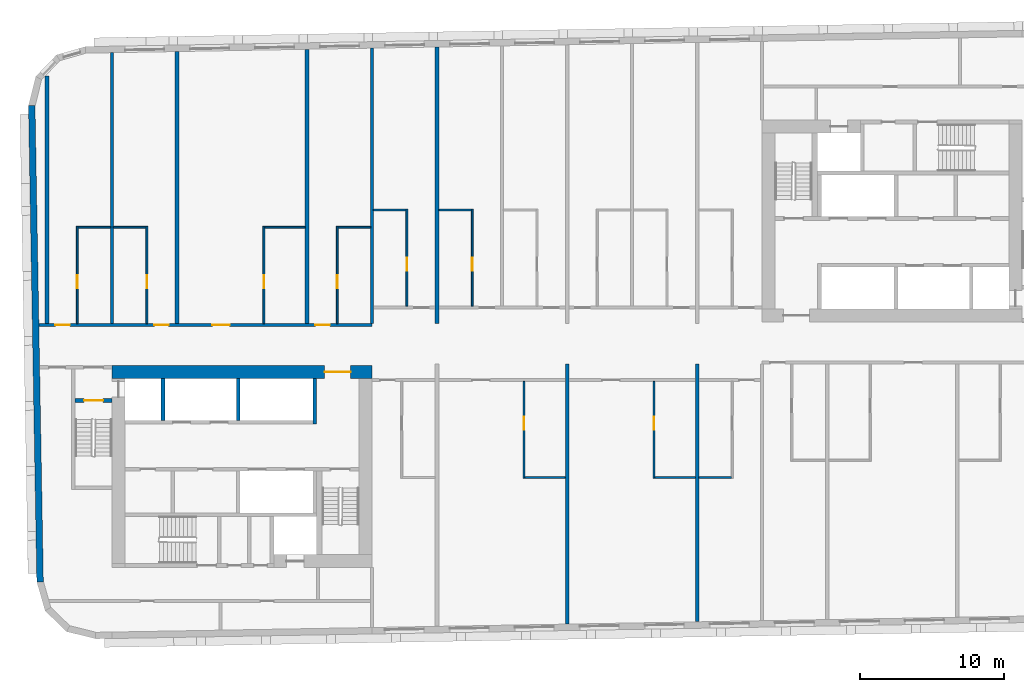
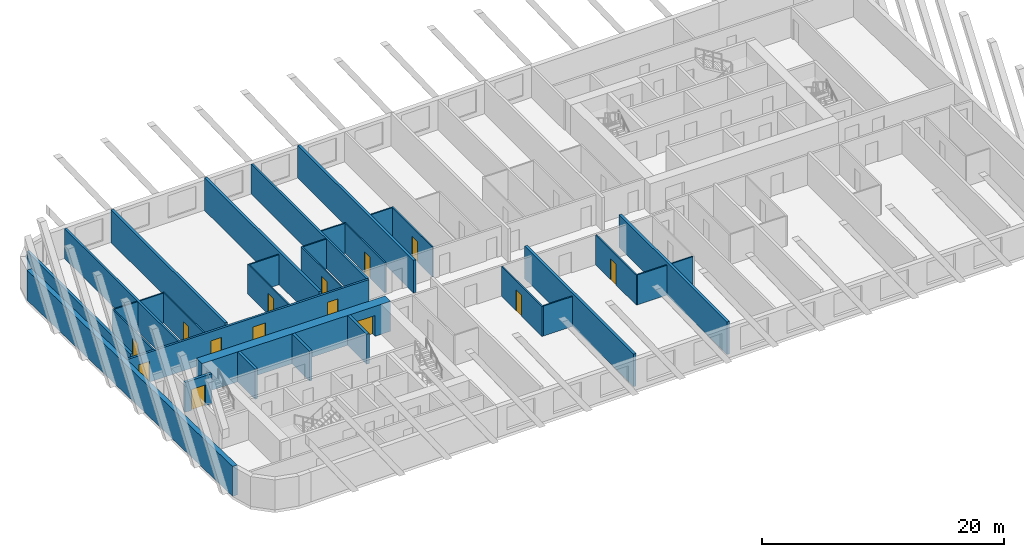
# One storey, part 3 of 12: 32 walls, 14 doors, 14 openings.
"""IFC4 building model written with IfcOpenShell, lengths in metres."""

from ifc_helpers import new_model, si_unit, direction, frame, frame_2d, origin, place, context, subcontext, project, spatial, rectangle, extrude, material, layer, layer_set, type_object, element, fill, save


model = new_model("IFC4")

# Units and contexts
model_context = context("Model", 3, precision=1e-05, world=origin(), true_north=direction((0.0, 1.0)))
body_context = subcontext(model_context, "Body", "Model", "MODEL_VIEW")
ifc_project = project(units=[si_unit("LENGTHUNIT", "METRE"), si_unit("AREAUNIT", "SQUARE_METRE"), si_unit("VOLUMEUNIT", "CUBIC_METRE"), si_unit("PLANEANGLEUNIT", "RADIAN"), si_unit("MASSUNIT", "GRAM", prefix="KILO")], contexts=[model_context])

# Site, building, storey
site_placement = place(None, origin())
site = spatial("IfcSite", under=ifc_project, at=site_placement, CompositionType="ELEMENT")
building_placement = place(site_placement, origin())
building = spatial("IfcBuilding", under=site, at=building_placement, Name="Kajstack Hotel Tower", CompositionType="ELEMENT")
storey_placement = place(building_placement, frame((0.0, 0.0, 217.699951171875)))
storey = spatial("IfcBuildingStorey", under=building, at=storey_placement, Name="L52", CompositionType="ELEMENT", Elevation=217.699951171875)

# Wall, opening, door
ifc_material_1 = material(Name="Concrete C60/75", Category="concrete")
ifc_layer_1 = layer(ifc_material_1, 0.89990234375)
ifc_layer_set_1 = layer_set([ifc_layer_1], Name="Core wall 900")
wall_type_1 = type_object("IfcWallType", Name="Core wall 900", PredefinedType="SHEAR", material=ifc_layer_set_1)
wall_1_placement = place(storey_placement, frame((-31.5, -1.949951171875, 0.0), z_axis=(0.0, 0.0, 1.0), x_axis=(1.0, 0.0, 0.0)))
wall_1 = element("IfcWall", 1, at=wall_1_placement, inside=storey, type_object=wall_type_1, Name="Core wall W RN", PredefinedType="SHEAR", context=body_context, shape_type="SweptSolid", body=[
    extrude(rectangle(XDim=18.0, YDim=0.89990234375, at=frame_2d((9.0, 0.0))), origin(), (0.0, 0.0, 1.0), 3.02001953125),
])
opening_1_placement = place(wall_1_placement, frame((14.72509765625, 0.0, 0.0)))
opening_1 = element("IfcOpeningElement", 2, at=opening_1_placement, cuts=wall_1, Name="Opening 52W07", PredefinedType="OPENING", context=body_context, shape_type="SweptSolid", body=[
    extrude(rectangle(XDim=1.800048828125, YDim=2.10009765625, at=frame_2d((0.89990234375, 1.050048828125))), frame((0.0, 0.4599609375, 0.0), z_axis=(0.0, -1.0, 0.0), x_axis=(1.0, 0.0, 0.0)), (0.0, 0.0, 1.0), 0.919921875),
])
ifc_material_2 = material(Name="Glazed steel frame, fire-rated glass", Category="steel")
door_type_1 = type_object("IfcDoorType", Name="Lobby double door 1800", OperationType="DOUBLE_DOOR_DOUBLE_SWING", PredefinedType="DOOR", material=ifc_material_2)
door_1_placement = place(opening_1_placement, origin())
door_1 = element("IfcDoor", 3, at=door_1_placement, inside=storey, type_object=door_type_1, Name="Door 52W07", OperationType="DOUBLE_DOOR_DOUBLE_SWING", OverallHeight=2.10009765625, OverallWidth=1.800048828125, PredefinedType="DOOR", context=body_context, shape_type="SweptSolid", body=[
    extrude(rectangle(XDim=1.800048828125, YDim=2.10009765625, at=frame_2d((0.89990234375, 1.050048828125))), frame((0.0, 0.02490234375, 0.0), z_axis=(0.0, -1.0, 0.0), x_axis=(1.0, 0.0, 0.0)), (0.0, 0.0, 1.0), 0.050048828125),
])
fill(opening_1, door_1)

# Wall, openings, doors
ifc_material_3 = material(Name="Gypsum board on steel studs, mineral wool", Category="steel")
ifc_layer_2 = layer(ifc_material_3, 0.199951171875)
ifc_layer_set_2 = layer_set([ifc_layer_2], Name="Corridor wall 200")
wall_type_2 = type_object("IfcWallType", Name="Corridor wall 200", PredefinedType="PARTITIONING", material=ifc_layer_set_2)
wall_2_placement = place(storey_placement, frame((-36.56591796875, 1.300048828125, 0.0), z_axis=(0.0, 0.0, 1.0), x_axis=(1.0, 0.0, 0.0)))
wall_2 = element("IfcWall", 4, at=wall_2_placement, inside=storey, type_object=wall_type_2, Name="G-wall-L52-003", PredefinedType="PARTITIONING", context=body_context, shape_type="SweptSolid", body=[
    extrude(rectangle(XDim=23.06591796875, YDim=0.199951171875, at=frame_2d((11.532958984375, 0.0))), origin(), (0.0, 0.0, 1.0), 3.02001953125),
])
opening_2_placement = place(wall_2_placement, frame((1.14111328125, 0.0, 0.0)))
opening_2 = element("IfcOpeningElement", 5, at=opening_2_placement, cuts=wall_2, Name="Opening 52001", PredefinedType="OPENING", context=body_context, shape_type="SweptSolid", body=[
    extrude(rectangle(XDim=1.0, YDim=2.10009765625, at=frame_2d((0.5, 1.050048828125))), frame((0.0, 0.10986328125, 0.0), z_axis=(0.0, -1.0, 0.0), x_axis=(1.0, 0.0, 0.0)), (0.0, 0.0, 1.0), 0.219970703125),
])
opening_3_placement = place(wall_2_placement, frame((7.990966796875, 0.0, 0.0)))
opening_3 = element("IfcOpeningElement", 6, at=opening_3_placement, cuts=wall_2, Name="Opening 52003", PredefinedType="OPENING", context=body_context, shape_type="SweptSolid", body=[
    extrude(rectangle(XDim=1.0, YDim=2.10009765625, at=frame_2d((0.5, 1.050048828125))), frame((0.0, 0.10986328125, 0.0), z_axis=(0.0, -1.0, 0.0), x_axis=(1.0, 0.0, 0.0)), (0.0, 0.0, 1.0), 0.219970703125),
])
opening_4_placement = place(wall_2_placement, frame((12.00390625, 0.0, 0.0)))
opening_4 = element("IfcOpeningElement", 7, at=opening_4_placement, cuts=wall_2, Name="Opening 52005", PredefinedType="OPENING", context=body_context, shape_type="SweptSolid", body=[
    extrude(rectangle(XDim=1.199951171875, YDim=2.10009765625, at=frame_2d((0.60009765625, 1.050048828125))), frame((0.0, 0.10986328125, 0.0), z_axis=(0.0, -1.0, 0.0), x_axis=(1.0, 0.0, 0.0)), (0.0, 0.0, 1.0), 0.219970703125),
])
opening_5_placement = place(wall_2_placement, frame((19.14111328125, 0.0, 0.0)))
opening_5 = element("IfcOpeningElement", 8, at=opening_5_placement, cuts=wall_2, Name="Opening 52007", PredefinedType="OPENING", context=body_context, shape_type="SweptSolid", body=[
    extrude(rectangle(XDim=1.0, YDim=2.10009765625, at=frame_2d((0.5, 1.050048828125))), frame((0.0, 0.10986328125, 0.0), z_axis=(0.0, -1.0, 0.0), x_axis=(1.0, 0.0, 0.0)), (0.0, 0.0, 1.0), 0.219970703125),
])
ifc_material_4 = material(Name="Oak veneer on timber core, fire-rated leaf", Category="wood")
door_type_2 = type_object("IfcDoorType", Name="Flat entrance door 1000", OperationType="SINGLE_SWING_LEFT", PredefinedType="DOOR", material=ifc_material_4)
door_2_placement = place(opening_2_placement, origin())
door_2 = element("IfcDoor", 9, at=door_2_placement, inside=storey, type_object=door_type_2, Name="G-door-L52-01", OperationType="SINGLE_SWING_LEFT", OverallHeight=2.10009765625, OverallWidth=1.0, PredefinedType="DOOR", context=body_context, shape_type="SweptSolid", body=[
    extrude(rectangle(XDim=1.0, YDim=2.10009765625, at=frame_2d((0.5, 1.050048828125))), frame((0.0, 0.02490234375, 0.0), z_axis=(0.0, -1.0, 0.0), x_axis=(1.0, 0.0, 0.0)), (0.0, 0.0, 1.0), 0.050048828125),
])
fill(opening_2, door_2)
door_3_placement = place(opening_3_placement, origin())
door_3 = element("IfcDoor", 10, at=door_3_placement, inside=storey, type_object=door_type_2, Name="G-door-L52-03", OperationType="SINGLE_SWING_LEFT", OverallHeight=2.10009765625, OverallWidth=1.0, PredefinedType="DOOR", context=body_context, shape_type="SweptSolid", body=[
    extrude(rectangle(XDim=1.0, YDim=2.10009765625, at=frame_2d((0.5, 1.050048828125))), frame((0.0, 0.02490234375, 0.0), z_axis=(0.0, -1.0, 0.0), x_axis=(1.0, 0.0, 0.0)), (0.0, 0.0, 1.0), 0.050048828125),
])
fill(opening_3, door_3)
door_4_placement = place(opening_5_placement, origin())
door_4 = element("IfcDoor", 11, at=door_4_placement, inside=storey, type_object=door_type_2, Name="G-door-L52-07", OperationType="SINGLE_SWING_LEFT", OverallHeight=2.10009765625, OverallWidth=1.0, PredefinedType="DOOR", context=body_context, shape_type="SweptSolid", body=[
    extrude(rectangle(XDim=1.0, YDim=2.10009765625, at=frame_2d((0.5, 1.050048828125))), frame((0.0, 0.02490234375, 0.0), z_axis=(0.0, -1.0, 0.0), x_axis=(1.0, 0.0, 0.0)), (0.0, 0.0, 1.0), 0.050048828125),
])
fill(opening_5, door_4)
door_type_3 = type_object("IfcDoorType", Name="Flat entrance door 1200", OperationType="SINGLE_SWING_LEFT", PredefinedType="DOOR", material=ifc_material_4)
door_5_placement = place(opening_4_placement, origin())
door_5 = element("IfcDoor", 12, at=door_5_placement, inside=storey, type_object=door_type_3, Name="G-door-L52-05", OperationType="SINGLE_SWING_RIGHT", OverallHeight=2.10009765625, OverallWidth=1.199951171875, PredefinedType="DOOR", context=body_context, shape_type="SweptSolid", body=[
    extrude(rectangle(XDim=1.199951171875, YDim=2.10009765625, at=frame_2d((0.60009765625, 1.050048828125))), frame((0.0, 0.02490234375, 0.0), z_axis=(0.0, -1.0, 0.0), x_axis=(1.0, 0.0, 0.0)), (0.0, 0.0, 1.0), 0.050048828125),
])
fill(opening_4, door_5)

# Walls
ifc_material_5 = material(Name="Twin-frame gypsum board on steel studs, mineral wool", Category="steel")
ifc_layer_3 = layer(ifc_material_5, 0.199951171875)
ifc_layer_set_3 = layer_set([ifc_layer_3], Name="Demising wall 200")
wall_type_3 = type_object("IfcWallType", Name="Demising wall 200", PredefinedType="PARTITIONING", material=ifc_layer_set_3)
wall_3_placement = place(storey_placement, frame((-31.5, 1.39990234375, 0.0), z_axis=(0.0, 0.0, 1.0), x_axis=(0.0, 1.0, 0.0)))
element("IfcWall", 13, at=wall_3_placement, inside=storey, type_object=wall_type_3, Name="G-wall-L52-005", PredefinedType="PARTITIONING", context=body_context, shape_type="SweptSolid", body=[
    extrude(rectangle(XDim=18.7509765625, YDim=0.199951171875, at=frame_2d((9.37548828125, 0.0))), origin(), (0.0, 0.0, 1.0), 3.02001953125),
])
wall_4_placement = place(storey_placement, frame((-13.5, 1.39990234375, 0.0), z_axis=(0.0, 0.0, 1.0), x_axis=(0.0, 1.0, 0.0)))
element("IfcWall", 14, at=wall_4_placement, inside=storey, type_object=wall_type_3, Name="G-wall-L52-012", PredefinedType="PARTITIONING", context=body_context, shape_type="SweptSolid", body=[
    extrude(rectangle(XDim=19.065185546875, YDim=0.199951171875, at=frame_2d((9.53271484375, 0.0))), origin(), (0.0, 0.0, 1.0), 3.02001953125),
])
ifc_material_6 = material(Name="Terracotta-faced brick masonry", Category="masonry")
ifc_layer_4 = layer(ifc_material_6, 0.449951171875)
ifc_layer_set_4 = layer_set([ifc_layer_4], Name="EW-TERRA")
wall_type_4 = type_object("IfcWallType", Name="EW-TERRA", PredefinedType="SOLIDWALL", material=ifc_layer_set_4)
wall_5_placement = place(storey_placement, frame((-37.056884765625, 16.50341796875, 0.0), z_axis=(0.0, 0.0, 1.0), x_axis=(0.017452279857, -0.999847697366, 0.0)))
element("IfcWall", 15, at=wall_5_placement, inside=storey, type_object=wall_type_4, Name="E-wall-L52-00-00", PredefinedType="SOLIDWALL", context=body_context, shape_type="SweptSolid", body=[
    extrude(rectangle(XDim=33.000244140625, YDim=0.449951171875, at=frame_2d((16.5, 0.0))), origin(), (0.0, 0.0, 1.0), 3.02001953125),
])

# Wall, opening, door
ifc_material_7 = material(Name="Gypsum board and tiled backer on steel studs", Category="steel")
ifc_layer_5 = layer(ifc_material_7, 0.125)
ifc_layer_set_5 = layer_set([ifc_layer_5], Name="En-suite wall 125")
wall_type_5 = type_object("IfcWallType", Name="En-suite wall 125", PredefinedType="PARTITIONING", material=ifc_layer_set_5)
wall_6_placement = place(storey_placement, frame((-33.9130859375, 1.39990234375, 0.0), z_axis=(0.0, 0.0, 1.0), x_axis=(0.0, 1.0, 0.0)))
wall_6 = element("IfcWall", 16, at=wall_6_placement, inside=storey, type_object=wall_type_5, Name="G-wall-L52-006", PredefinedType="PARTITIONING", context=body_context, shape_type="SweptSolid", body=[
    extrude(rectangle(XDim=6.72509765625, YDim=0.125, at=frame_2d((3.362548828125, 0.0))), origin(), (0.0, 0.0, 1.0), 3.02001953125),
])
opening_6_placement = place(wall_6_placement, frame((2.449951171875, 0.0, 0.0)))
opening_6 = element("IfcOpeningElement", 17, at=opening_6_placement, cuts=wall_6, Name="Opening 52002", PredefinedType="OPENING", context=body_context, shape_type="SweptSolid", body=[
    extrude(rectangle(XDim=0.89990234375, YDim=2.10009765625, at=frame_2d((0.449951171875, 1.050048828125))), frame((0.0, 0.072509765625, 0.0), z_axis=(0.0, -1.0, 0.0), x_axis=(1.0, 0.0, 0.0)), (0.0, 0.0, 1.0), 0.14501953125),
])
ifc_material_8 = material(Name="Painted timber door leaf", Category="wood")
door_type_4 = type_object("IfcDoorType", Name="Room door 900", OperationType="SINGLE_SWING_LEFT", PredefinedType="DOOR", material=ifc_material_8)
door_6_placement = place(opening_6_placement, origin())
door_6 = element("IfcDoor", 18, at=door_6_placement, inside=storey, type_object=door_type_4, Name="G-door-L52-02", OperationType="SINGLE_SWING_LEFT", OverallHeight=2.10009765625, OverallWidth=0.89990234375, PredefinedType="DOOR", context=body_context, shape_type="SweptSolid", body=[
    extrude(rectangle(XDim=0.89990234375, YDim=2.10009765625, at=frame_2d((0.449951171875, 1.050048828125))), frame((0.0, 0.02490234375, 0.0), z_axis=(0.0, -1.0, 0.0), x_axis=(1.0, 0.0, 0.0)), (0.0, 0.0, 1.0), 0.050048828125),
])
fill(opening_6, door_6)

# Wall
wall_7_placement = place(storey_placement, frame((-33.85009765625, 8.06201171875, 0.0), z_axis=(0.0, 0.0, 1.0), x_axis=(1.0, 0.0, 0.0)))
element("IfcWall", 19, at=wall_7_placement, inside=storey, type_object=wall_type_5, Name="G-wall-L52-007", PredefinedType="PARTITIONING", context=body_context, shape_type="SweptSolid", body=[
    extrude(rectangle(XDim=2.25, YDim=0.125, at=frame_2d((1.125, 0.0))), origin(), (0.0, 0.0, 1.0), 3.02001953125),
])

# Wall, opening, door
wall_8_placement = place(storey_placement, frame((-29.0869140625, 1.39990234375, 0.0), z_axis=(0.0, 0.0, 1.0), x_axis=(0.0, 1.0, 0.0)))
wall_8 = element("IfcWall", 20, at=wall_8_placement, inside=storey, type_object=wall_type_5, Name="G-wall-L52-008", PredefinedType="PARTITIONING", context=body_context, shape_type="SweptSolid", body=[
    extrude(rectangle(XDim=6.72509765625, YDim=0.125, at=frame_2d((3.362548828125, 0.0))), origin(), (0.0, 0.0, 1.0), 3.02001953125),
])
opening_7_placement = place(wall_8_placement, frame((2.449951171875, 0.0, 0.0)))
opening_7 = element("IfcOpeningElement", 21, at=opening_7_placement, cuts=wall_8, Name="Opening 52004", PredefinedType="OPENING", context=body_context, shape_type="SweptSolid", body=[
    extrude(rectangle(XDim=0.89990234375, YDim=2.10009765625, at=frame_2d((0.449951171875, 1.050048828125))), frame((0.0, 0.072509765625, 0.0), z_axis=(0.0, -1.0, 0.0), x_axis=(1.0, 0.0, 0.0)), (0.0, 0.0, 1.0), 0.14501953125),
])
door_7_placement = place(opening_7_placement, origin())
door_7 = element("IfcDoor", 22, at=door_7_placement, inside=storey, type_object=door_type_4, Name="G-door-L52-04", OperationType="SINGLE_SWING_LEFT", OverallHeight=2.10009765625, OverallWidth=0.89990234375, PredefinedType="DOOR", context=body_context, shape_type="SweptSolid", body=[
    extrude(rectangle(XDim=0.89990234375, YDim=2.10009765625, at=frame_2d((0.449951171875, 1.050048828125))), frame((0.0, 0.02490234375, 0.0), z_axis=(0.0, -1.0, 0.0), x_axis=(1.0, 0.0, 0.0)), (0.0, 0.0, 1.0), 0.050048828125),
])
fill(opening_7, door_7)

# Wall
wall_9_placement = place(storey_placement, frame((-31.39990234375, 8.06201171875, 0.0), z_axis=(0.0, 0.0, 1.0), x_axis=(1.0, 0.0, 0.0)))
element("IfcWall", 23, at=wall_9_placement, inside=storey, type_object=wall_type_5, Name="G-wall-L52-009", PredefinedType="PARTITIONING", context=body_context, shape_type="SweptSolid", body=[
    extrude(rectangle(XDim=2.25, YDim=0.125, at=frame_2d((1.125, 0.0))), origin(), (0.0, 0.0, 1.0), 3.02001953125),
])

# Wall, opening, door
wall_10_placement = place(storey_placement, frame((-20.988037109375, 1.39990234375, 0.0), z_axis=(0.0, 0.0, 1.0), x_axis=(0.0, 1.0, 0.0)))
wall_10 = element("IfcWall", 24, at=wall_10_placement, inside=storey, type_object=wall_type_5, Name="G-wall-L52-010", PredefinedType="PARTITIONING", context=body_context, shape_type="SweptSolid", body=[
    extrude(rectangle(XDim=6.72509765625, YDim=0.125, at=frame_2d((3.362548828125, 0.0))), origin(), (0.0, 0.0, 1.0), 3.02001953125),
])
opening_8_placement = place(wall_10_placement, frame((2.449951171875, 0.0, 0.0)))
opening_8 = element("IfcOpeningElement", 25, at=opening_8_placement, cuts=wall_10, Name="Opening 52006", PredefinedType="OPENING", context=body_context, shape_type="SweptSolid", body=[
    extrude(rectangle(XDim=0.89990234375, YDim=2.10009765625, at=frame_2d((0.449951171875, 1.050048828125))), frame((0.0, 0.072509765625, 0.0), z_axis=(0.0, -1.0, 0.0), x_axis=(1.0, 0.0, 0.0)), (0.0, 0.0, 1.0), 0.14501953125),
])
door_8_placement = place(opening_8_placement, origin())
door_8 = element("IfcDoor", 26, at=door_8_placement, inside=storey, type_object=door_type_4, Name="G-door-L52-06", OperationType="SINGLE_SWING_LEFT", OverallHeight=2.10009765625, OverallWidth=0.89990234375, PredefinedType="DOOR", context=body_context, shape_type="SweptSolid", body=[
    extrude(rectangle(XDim=0.89990234375, YDim=2.10009765625, at=frame_2d((0.449951171875, 1.050048828125))), frame((0.0, 0.02490234375, 0.0), z_axis=(0.0, -1.0, 0.0), x_axis=(1.0, 0.0, 0.0)), (0.0, 0.0, 1.0), 0.050048828125),
])
fill(opening_8, door_8)

# Wall
wall_11_placement = place(storey_placement, frame((-20.925048828125, 8.06201171875, 0.0), z_axis=(0.0, 0.0, 1.0), x_axis=(1.0, 0.0, 0.0)))
element("IfcWall", 27, at=wall_11_placement, inside=storey, type_object=wall_type_5, Name="G-wall-L52-011", PredefinedType="PARTITIONING", context=body_context, shape_type="SweptSolid", body=[
    extrude(rectangle(XDim=2.800048828125, YDim=0.125, at=frame_2d((1.39990234375, 0.0))), origin(), (0.0, 0.0, 1.0), 3.02001953125),
])

# Wall, opening, door
wall_12_placement = place(storey_placement, frame((-15.912109375, 1.39990234375, 0.0), z_axis=(0.0, 0.0, 1.0), x_axis=(0.0, 1.0, 0.0)))
wall_12 = element("IfcWall", 28, at=wall_12_placement, inside=storey, type_object=wall_type_5, Name="G-wall-L52-013", PredefinedType="PARTITIONING", context=body_context, shape_type="SweptSolid", body=[
    extrude(rectangle(XDim=6.72509765625, YDim=0.125, at=frame_2d((3.362548828125, 0.0))), origin(), (0.0, 0.0, 1.0), 3.02001953125),
])
opening_9_placement = place(wall_12_placement, frame((2.449951171875, 0.0, 0.0)))
opening_9 = element("IfcOpeningElement", 29, at=opening_9_placement, cuts=wall_12, Name="Opening 52008", PredefinedType="OPENING", context=body_context, shape_type="SweptSolid", body=[
    extrude(rectangle(XDim=0.89990234375, YDim=2.10009765625, at=frame_2d((0.449951171875, 1.050048828125))), frame((0.0, 0.072509765625, 0.0), z_axis=(0.0, -1.0, 0.0), x_axis=(1.0, 0.0, 0.0)), (0.0, 0.0, 1.0), 0.14501953125),
])
door_9_placement = place(opening_9_placement, origin())
door_9 = element("IfcDoor", 30, at=door_9_placement, inside=storey, type_object=door_type_4, Name="G-door-L52-08", OperationType="SINGLE_SWING_RIGHT", OverallHeight=2.10009765625, OverallWidth=0.89990234375, PredefinedType="DOOR", context=body_context, shape_type="SweptSolid", body=[
    extrude(rectangle(XDim=0.89990234375, YDim=2.10009765625, at=frame_2d((0.449951171875, 1.050048828125))), frame((0.0, 0.02490234375, 0.0), z_axis=(0.0, -1.0, 0.0), x_axis=(1.0, 0.0, 0.0)), (0.0, 0.0, 1.0), 0.050048828125),
])
fill(opening_9, door_9)

# Wall
wall_13_placement = place(storey_placement, frame((-15.85009765625, 8.06201171875, 0.0), z_axis=(0.0, 0.0, 1.0), x_axis=(1.0, 0.0, 0.0)))
element("IfcWall", 31, at=wall_13_placement, inside=storey, type_object=wall_type_5, Name="G-wall-L52-014", PredefinedType="PARTITIONING", context=body_context, shape_type="SweptSolid", body=[
    extrude(rectangle(XDim=2.25, YDim=0.125, at=frame_2d((1.125, 0.0))), origin(), (0.0, 0.0, 1.0), 3.02001953125),
])

# Wall, opening, door
wall_14_placement = place(storey_placement, frame((-11.087890625, 2.60009765625, 0.0), z_axis=(0.0, 0.0, 1.0), x_axis=(0.0, 1.0, 0.0)))
wall_14 = element("IfcWall", 32, at=wall_14_placement, inside=storey, type_object=wall_type_5, Name="G-wall-L52-015", PredefinedType="PARTITIONING", context=body_context, shape_type="SweptSolid", body=[
    extrude(rectangle(XDim=6.724853515625, YDim=0.125, at=frame_2d((3.3623046875, 0.0))), origin(), (0.0, 0.0, 1.0), 3.02001953125),
])
opening_10_placement = place(wall_14_placement, frame((2.449951171875, 0.0, 0.0)))
opening_10 = element("IfcOpeningElement", 33, at=opening_10_placement, cuts=wall_14, Name="Opening 52010", PredefinedType="OPENING", context=body_context, shape_type="SweptSolid", body=[
    extrude(rectangle(XDim=0.89990234375, YDim=2.10009765625, at=frame_2d((0.449951171875, 1.050048828125))), frame((0.0, 0.072509765625, 0.0), z_axis=(0.0, -1.0, 0.0), x_axis=(1.0, 0.0, 0.0)), (0.0, 0.0, 1.0), 0.14501953125),
])
door_10_placement = place(opening_10_placement, origin())
door_10 = element("IfcDoor", 34, at=door_10_placement, inside=storey, type_object=door_type_4, Name="G-door-L52-10", OperationType="SINGLE_SWING_LEFT", OverallHeight=2.10009765625, OverallWidth=0.89990234375, PredefinedType="DOOR", context=body_context, shape_type="SweptSolid", body=[
    extrude(rectangle(XDim=0.89990234375, YDim=2.10009765625, at=frame_2d((0.449951171875, 1.050048828125))), frame((0.0, 0.02490234375, 0.0), z_axis=(0.0, -1.0, 0.0), x_axis=(1.0, 0.0, 0.0)), (0.0, 0.0, 1.0), 0.050048828125),
])
fill(opening_10, door_10)

# Wall
wall_15_placement = place(storey_placement, frame((-13.39990234375, 9.261962890625, 0.0), z_axis=(0.0, 0.0, 1.0), x_axis=(1.0, 0.0, 0.0)))
element("IfcWall", 35, at=wall_15_placement, inside=storey, type_object=wall_type_5, Name="G-wall-L52-016", PredefinedType="PARTITIONING", context=body_context, shape_type="SweptSolid", body=[
    extrude(rectangle(XDim=2.25, YDim=0.125, at=frame_2d((1.125, 0.0))), origin(), (0.0, 0.0, 1.0), 3.02001953125),
])

# Wall, opening, door
wall_16_placement = place(storey_placement, frame((-6.56201171875, 2.60009765625, 0.0), z_axis=(0.0, 0.0, 1.0), x_axis=(0.0, 1.0, 0.0)))
wall_16 = element("IfcWall", 36, at=wall_16_placement, inside=storey, type_object=wall_type_5, Name="G-wall-L52-018", PredefinedType="PARTITIONING", context=body_context, shape_type="SweptSolid", body=[
    extrude(rectangle(XDim=6.724853515625, YDim=0.125, at=frame_2d((3.3623046875, 0.0))), origin(), (0.0, 0.0, 1.0), 3.02001953125),
])
opening_11_placement = place(wall_16_placement, frame((2.449951171875, 0.0, 0.0)))
opening_11 = element("IfcOpeningElement", 37, at=opening_11_placement, cuts=wall_16, Name="Opening 52012", PredefinedType="OPENING", context=body_context, shape_type="SweptSolid", body=[
    extrude(rectangle(XDim=0.89990234375, YDim=2.10009765625, at=frame_2d((0.449951171875, 1.050048828125))), frame((0.0, 0.072509765625, 0.0), z_axis=(0.0, -1.0, 0.0), x_axis=(1.0, 0.0, 0.0)), (0.0, 0.0, 1.0), 0.14501953125),
])
door_11_placement = place(opening_11_placement, origin())
door_11 = element("IfcDoor", 38, at=door_11_placement, inside=storey, type_object=door_type_4, Name="G-door-L52-12", OperationType="SINGLE_SWING_RIGHT", OverallHeight=2.10009765625, OverallWidth=0.89990234375, PredefinedType="DOOR", context=body_context, shape_type="SweptSolid", body=[
    extrude(rectangle(XDim=0.89990234375, YDim=2.10009765625, at=frame_2d((0.449951171875, 1.050048828125))), frame((0.0, 0.02490234375, 0.0), z_axis=(0.0, -1.0, 0.0), x_axis=(1.0, 0.0, 0.0)), (0.0, 0.0, 1.0), 0.050048828125),
])
fill(opening_11, door_11)

# Wall
wall_17_placement = place(storey_placement, frame((-8.875, 9.261962890625, 0.0), z_axis=(0.0, 0.0, 1.0), x_axis=(1.0, 0.0, 0.0)))
element("IfcWall", 39, at=wall_17_placement, inside=storey, type_object=wall_type_5, Name="G-wall-L52-019", PredefinedType="PARTITIONING", context=body_context, shape_type="SweptSolid", body=[
    extrude(rectangle(XDim=2.25, YDim=0.125, at=frame_2d((1.125, 0.0))), origin(), (0.0, 0.0, 1.0), 3.02001953125),
])

# Wall, opening, door
wall_18_placement = place(storey_placement, frame((-2.987060546875, -9.324951171875, 0.0), z_axis=(0.0, 0.0, 1.0), x_axis=(0.0, 1.0, 0.0)))
wall_18 = element("IfcWall", 40, at=wall_18_placement, inside=storey, type_object=wall_type_5, Name="G-wall-L52-033", PredefinedType="PARTITIONING", context=body_context, shape_type="SweptSolid", body=[
    extrude(rectangle(XDim=6.724853515625, YDim=0.125, at=frame_2d((3.3623046875, 0.0))), origin(), (0.0, 0.0, 1.0), 3.02001953125),
])
opening_12_placement = place(wall_18_placement, frame((3.375, 0.0, 0.0)))
opening_12 = element("IfcOpeningElement", 41, at=opening_12_placement, cuts=wall_18, Name="Opening 52024", PredefinedType="OPENING", context=body_context, shape_type="SweptSolid", body=[
    extrude(rectangle(XDim=0.89990234375, YDim=2.10009765625, at=frame_2d((0.449951171875, 1.050048828125))), frame((0.0, 0.072509765625, 0.0), z_axis=(0.0, -1.0, 0.0), x_axis=(1.0, 0.0, 0.0)), (0.0, 0.0, 1.0), 0.14501953125),
])
door_12_placement = place(opening_12_placement, origin())
door_12 = element("IfcDoor", 42, at=door_12_placement, inside=storey, type_object=door_type_4, Name="G-door-L52-24", OperationType="SINGLE_SWING_LEFT", OverallHeight=2.10009765625, OverallWidth=0.89990234375, PredefinedType="DOOR", context=body_context, shape_type="SweptSolid", body=[
    extrude(rectangle(XDim=0.89990234375, YDim=2.10009765625, at=frame_2d((0.449951171875, 1.050048828125))), frame((0.0, 0.02490234375, 0.0), z_axis=(0.0, -1.0, 0.0), x_axis=(1.0, 0.0, 0.0)), (0.0, 0.0, 1.0), 0.050048828125),
])
fill(opening_12, door_12)

# Wall
wall_19_placement = place(storey_placement, frame((-2.925048828125, -9.261962890625, 0.0), z_axis=(0.0, 0.0, 1.0), x_axis=(1.0, 0.0, 0.0)))
element("IfcWall", 43, at=wall_19_placement, inside=storey, type_object=wall_type_5, Name="G-wall-L52-034", PredefinedType="PARTITIONING", context=body_context, shape_type="SweptSolid", body=[
    extrude(rectangle(XDim=2.800048828125, YDim=0.125, at=frame_2d((1.39990234375, 0.0))), origin(), (0.0, 0.0, 1.0), 3.02001953125),
])

# Wall, opening, door
wall_20_placement = place(storey_placement, frame((6.012939453125, -9.324951171875, 0.0), z_axis=(0.0, 0.0, 1.0), x_axis=(0.0, 1.0, 0.0)))
wall_20 = element("IfcWall", 44, at=wall_20_placement, inside=storey, type_object=wall_type_5, Name="G-wall-L52-035", PredefinedType="PARTITIONING", context=body_context, shape_type="SweptSolid", body=[
    extrude(rectangle(XDim=6.724853515625, YDim=0.125, at=frame_2d((3.3623046875, 0.0))), origin(), (0.0, 0.0, 1.0), 3.02001953125),
])
opening_13_placement = place(wall_20_placement, frame((3.375, 0.0, 0.0)))
opening_13 = element("IfcOpeningElement", 45, at=opening_13_placement, cuts=wall_20, Name="Opening 52026", PredefinedType="OPENING", context=body_context, shape_type="SweptSolid", body=[
    extrude(rectangle(XDim=0.89990234375, YDim=2.10009765625, at=frame_2d((0.449951171875, 1.050048828125))), frame((0.0, 0.072509765625, 0.0), z_axis=(0.0, -1.0, 0.0), x_axis=(1.0, 0.0, 0.0)), (0.0, 0.0, 1.0), 0.14501953125),
])
door_13_placement = place(opening_13_placement, origin())
door_13 = element("IfcDoor", 46, at=door_13_placement, inside=storey, type_object=door_type_4, Name="G-door-L52-26", OperationType="SINGLE_SWING_LEFT", OverallHeight=2.10009765625, OverallWidth=0.89990234375, PredefinedType="DOOR", context=body_context, shape_type="SweptSolid", body=[
    extrude(rectangle(XDim=0.89990234375, YDim=2.10009765625, at=frame_2d((0.449951171875, 1.050048828125))), frame((0.0, 0.02490234375, 0.0), z_axis=(0.0, -1.0, 0.0), x_axis=(1.0, 0.0, 0.0)), (0.0, 0.0, 1.0), 0.050048828125),
])
fill(opening_13, door_13)

# Walls
wall_21_placement = place(storey_placement, frame((6.074951171875, -9.261962890625, 0.0), z_axis=(0.0, 0.0, 1.0), x_axis=(1.0, 0.0, 0.0)))
element("IfcWall", 47, at=wall_21_placement, inside=storey, type_object=wall_type_5, Name="G-wall-L52-036", PredefinedType="PARTITIONING", context=body_context, shape_type="SweptSolid", body=[
    extrude(rectangle(XDim=2.800048828125, YDim=0.125, at=frame_2d((1.39990234375, 0.0))), origin(), (0.0, 0.0, 1.0), 3.02001953125),
])
wall_22_placement = place(storey_placement, frame((9.125, -9.261962890625, 0.0), z_axis=(0.0, 0.0, 1.0), x_axis=(1.0, 0.0, 0.0)))
element("IfcWall", 48, at=wall_22_placement, inside=storey, type_object=wall_type_5, Name="G-wall-L52-039", PredefinedType="PARTITIONING", context=body_context, shape_type="SweptSolid", body=[
    extrude(rectangle(XDim=2.25, YDim=0.125, at=frame_2d((1.125, 0.0))), origin(), (0.0, 0.0, 1.0), 3.02001953125),
])
ifc_material_9 = material(Name="Concrete C50/60", Category="concrete")
ifc_layer_6 = layer(ifc_material_9, 0.300048828125)
ifc_layer_set_6 = layer_set([ifc_layer_6], Name="Hoistway divider wall 300")
wall_type_6 = type_object("IfcWallType", Name="Hoistway divider wall 300", PredefinedType="SHEAR", material=ifc_layer_set_6)
wall_23_placement = place(storey_placement, frame((-22.77490234375, -5.300048828125, 0.0), z_axis=(0.0, 0.0, 1.0), x_axis=(0.0, 1.0, 0.0)))
element("IfcWall", 49, at=wall_23_placement, inside=storey, type_object=wall_type_6, Name="Core wall W AP2", PredefinedType="SHEAR", context=body_context, shape_type="SweptSolid", body=[
    extrude(rectangle(XDim=2.900146484375, YDim=0.25, at=frame_2d((1.4501953125, 0.0))), origin(), (0.0, 0.0, 1.0), 3.02001953125),
])
ifc_material_10 = material(Name="Concrete C45/55", Category="concrete")
ifc_layer_7 = layer(ifc_material_10, 0.25)
ifc_layer_set_7 = layer_set([ifc_layer_7], Name="RC cross wall 250 C45/55")
wall_type_7 = type_object("IfcWallType", Name="RC cross wall 250 C45/55", PredefinedType="SHEAR", material=ifc_layer_set_7)
wall_24_placement = place(storey_placement, frame((-36.0, 1.39990234375, 0.0), z_axis=(0.0, 0.0, 1.0), x_axis=(0.0, 1.0, 0.0)))
element("IfcWall", 50, at=wall_24_placement, inside=storey, type_object=wall_type_7, Name="S-wall-L52-01", PredefinedType="SHEAR", context=body_context, shape_type="SweptSolid", body=[
    extrude(rectangle(XDim=17.12548828125, YDim=0.25, at=frame_2d((8.562744140625, 0.0))), origin(), (0.0, 0.0, 1.0), 3.300048828125),
])
wall_25_placement = place(storey_placement, frame((-27.0, 1.39990234375, 0.0), z_axis=(0.0, 0.0, 1.0), x_axis=(0.0, 1.0, 0.0)))
element("IfcWall", 51, at=wall_25_placement, inside=storey, type_object=wall_type_7, Name="S-wall-L52-02", PredefinedType="SHEAR", context=body_context, shape_type="SweptSolid", body=[
    extrude(rectangle(XDim=18.8173828125, YDim=0.25, at=frame_2d((9.40869140625, 0.0))), origin(), (0.0, 0.0, 1.0), 3.300048828125),
])
wall_26_placement = place(storey_placement, frame((-18.0, 1.39990234375, 0.0), z_axis=(0.0, 0.0, 1.0), x_axis=(0.0, 1.0, 0.0)))
element("IfcWall", 52, at=wall_26_placement, inside=storey, type_object=wall_type_7, Name="S-wall-L52-03", PredefinedType="SHEAR", context=body_context, shape_type="SweptSolid", body=[
    extrude(rectangle(XDim=18.974365234375, YDim=0.25, at=frame_2d((9.4873046875, 0.0))), origin(), (0.0, 0.0, 1.0), 3.300048828125),
])
wall_27_placement = place(storey_placement, frame((-9.0, 1.39990234375, 0.0), z_axis=(0.0, 0.0, 1.0), x_axis=(0.0, 1.0, 0.0)))
element("IfcWall", 53, at=wall_27_placement, inside=storey, type_object=wall_type_7, Name="S-wall-L52-05", PredefinedType="SHEAR", context=body_context, shape_type="SweptSolid", body=[
    extrude(rectangle(XDim=19.131591796875, YDim=0.25, at=frame_2d((9.56591796875, 0.0))), origin(), (0.0, 0.0, 1.0), 3.300048828125),
])
wall_28_placement = place(storey_placement, frame((0.0, -19.393310546875, 0.0), z_axis=(0.0, 0.0, 1.0), x_axis=(0.0, 1.0, 0.0)))
element("IfcWall", 54, at=wall_28_placement, inside=storey, type_object=wall_type_7, Name="S-wall-L52-06", PredefinedType="SHEAR", context=body_context, shape_type="SweptSolid", body=[
    extrude(rectangle(XDim=17.993408203125, YDim=0.25, at=frame_2d((8.99658203125, 0.0))), origin(), (0.0, 0.0, 1.0), 3.300048828125),
])
wall_29_placement = place(storey_placement, frame((9.0, -19.236083984375, 0.0), z_axis=(0.0, 0.0, 1.0), x_axis=(0.0, 1.0, 0.0)))
element("IfcWall", 55, at=wall_29_placement, inside=storey, type_object=wall_type_7, Name="S-wall-L52-08", PredefinedType="SHEAR", context=body_context, shape_type="SweptSolid", body=[
    extrude(rectangle(XDim=17.836181640625, YDim=0.25, at=frame_2d((8.91796875, 0.0))), origin(), (0.0, 0.0, 1.0), 3.300048828125),
])
ifc_layer_8 = layer(ifc_material_9, 0.25)
ifc_layer_set_8 = layer_set([ifc_layer_8], Name="Shaft wall 250")
wall_type_8 = type_object("IfcWallType", Name="Shaft wall 250", PredefinedType="SHEAR", material=ifc_layer_set_8)
wall_30_placement = place(storey_placement, frame((-17.47509765625, -5.550048828125, 0.0), z_axis=(0.0, 0.0, 1.0), x_axis=(0.0, 1.0, 0.0)))
element("IfcWall", 56, at=wall_30_placement, inside=storey, type_object=wall_type_8, Name="Core wall W AE", PredefinedType="SHEAR", context=body_context, shape_type="SweptSolid", body=[
    extrude(rectangle(XDim=3.150146484375, YDim=0.25, at=frame_2d((1.5751953125, 0.0))), origin(), (0.0, 0.0, 1.0), 3.02001953125),
])
wall_31_placement = place(storey_placement, frame((-27.97509765625, -5.300048828125, 0.0), z_axis=(0.0, 0.0, 1.0), x_axis=(0.0, 1.0, 0.0)))
element("IfcWall", 57, at=wall_31_placement, inside=storey, type_object=wall_type_8, Name="Core wall W AP0", PredefinedType="SHEAR", context=body_context, shape_type="SweptSolid", body=[
    extrude(rectangle(XDim=2.900146484375, YDim=0.25, at=frame_2d((1.4501953125, 0.0))), origin(), (0.0, 0.0, 1.0), 3.02001953125),
])

# Wall, opening, door
ifc_material_11 = material(Name="Concrete C40/50", Category="concrete")
ifc_layer_9 = layer(ifc_material_11, 0.25)
ifc_layer_set_9 = layer_set([ifc_layer_9], Name="Stair enclosure wall 250")
wall_type_9 = type_object("IfcWallType", Name="Stair enclosure wall 250", PredefinedType="SHEAR", material=ifc_layer_set_9)
wall_32_placement = place(storey_placement, frame((-34.050048828125, -3.925048828125, 0.0), z_axis=(0.0, 0.0, 1.0), x_axis=(1.0, 0.0, 0.0)))
wall_32 = element("IfcWall", 58, at=wall_32_placement, inside=storey, type_object=wall_type_9, Name="Core wall W W1N", PredefinedType="SHEAR", context=body_context, shape_type="SweptSolid", body=[
    extrude(rectangle(XDim=2.550048828125, YDim=0.25, at=frame_2d((1.27490234375, 0.0))), origin(), (0.0, 0.0, 1.0), 3.02001953125),
])
opening_14_placement = place(wall_32_placement, frame((0.625, 0.0, 0.0)))
opening_14 = element("IfcOpeningElement", 59, at=opening_14_placement, cuts=wall_32, Name="Opening 52W09", PredefinedType="OPENING", context=body_context, shape_type="SweptSolid", body=[
    extrude(rectangle(XDim=1.300048828125, YDim=2.10009765625, at=frame_2d((0.64990234375, 1.050048828125))), frame((0.0, 0.135009765625, 0.0), z_axis=(0.0, -1.0, 0.0), x_axis=(1.0, 0.0, 0.0)), (0.0, 0.0, 1.0), 0.27001953125),
])
ifc_material_12 = material(Name="Steel leaf, fire-rated", Category="steel")
door_type_5 = type_object("IfcDoorType", Name="Stair door 1300", OperationType="SINGLE_SWING_LEFT", PredefinedType="DOOR", material=ifc_material_12)
door_14_placement = place(opening_14_placement, origin())
door_14 = element("IfcDoor", 60, at=door_14_placement, inside=storey, type_object=door_type_5, Name="Door 52W09", OperationType="SINGLE_SWING_RIGHT", OverallHeight=2.10009765625, OverallWidth=1.300048828125, PredefinedType="DOOR", context=body_context, shape_type="SweptSolid", body=[
    extrude(rectangle(XDim=1.300048828125, YDim=2.10009765625, at=frame_2d((0.64990234375, 1.050048828125))), frame((0.0, 0.02490234375, 0.0), z_axis=(0.0, -1.0, 0.0), x_axis=(1.0, 0.0, 0.0)), (0.0, 0.0, 1.0), 0.050048828125),
])
fill(opening_14, door_14)

save(model, "model.ifc")
